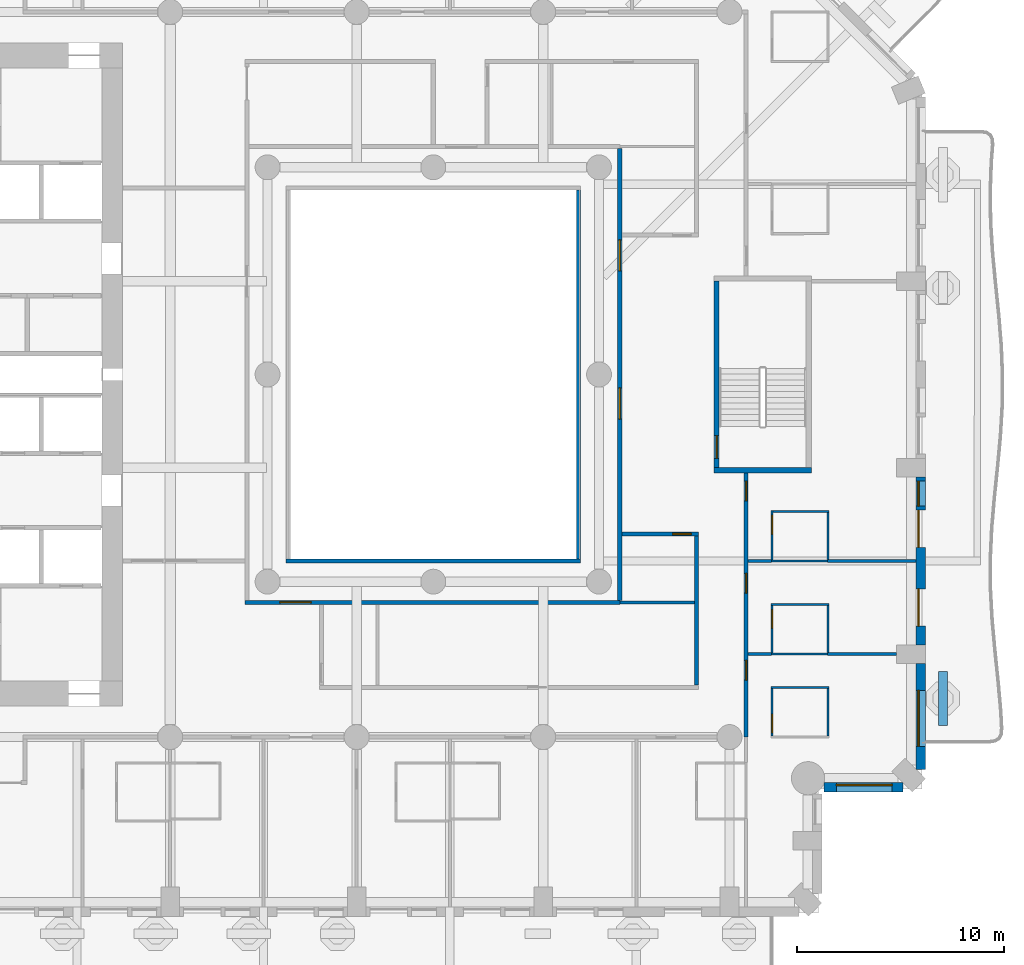
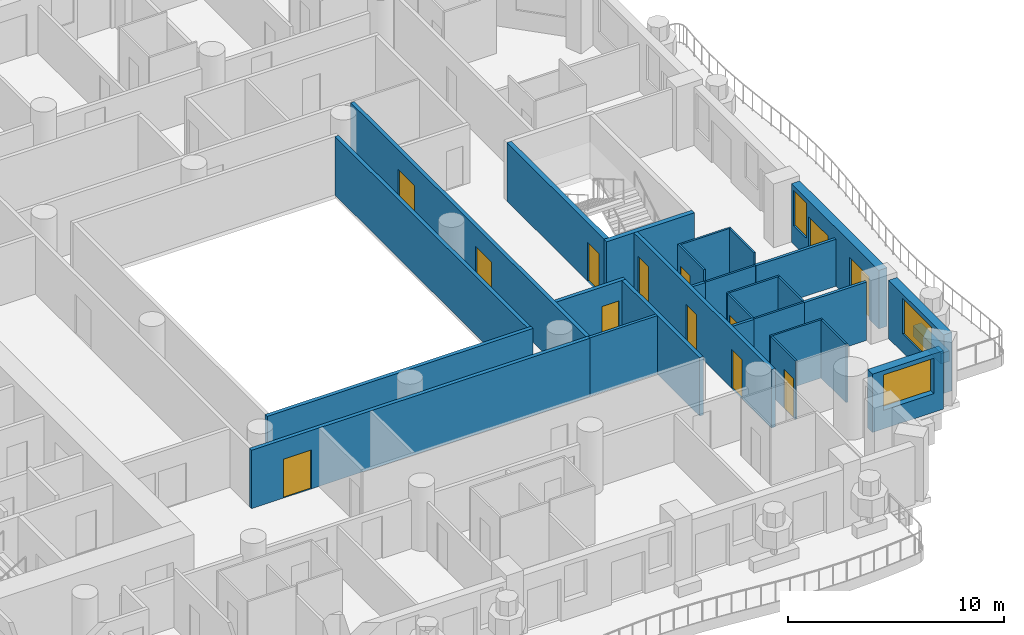
# One storey, part 6 of 20: 29 walls, 13 doors, 3 windows, 16 openings.
"""IFC4 building model written with IfcOpenShell, lengths in metres."""

from ifc_helpers import new_model, si_unit, direction, frame, frame_2d, origin, place, context, subcontext, project, spatial, rectangle, extrude, material, layer, layer_set, type_object, element, fill, save


model = new_model("IFC4")

# Units and contexts
model_context = context("Model", 3, precision=1e-05, world=origin(), true_north=direction((0.0, 1.0)))
body_context = subcontext(model_context, "Body", "Model", "MODEL_VIEW")
ifc_project = project(units=[si_unit("LENGTHUNIT", "METRE"), si_unit("AREAUNIT", "SQUARE_METRE"), si_unit("VOLUMEUNIT", "CUBIC_METRE"), si_unit("PLANEANGLEUNIT", "RADIAN"), si_unit("MASSUNIT", "GRAM", prefix="KILO")], contexts=[model_context])

# Site, building, storey
site_placement = place(None, origin())
site = spatial("IfcSite", under=ifc_project, at=site_placement, CompositionType="ELEMENT")
building_placement = place(site_placement, origin())
building = spatial("IfcBuilding", under=site, at=building_placement, Name="Cypress Arch Tower", CompositionType="ELEMENT")
storey_placement = place(building_placement, frame((0.0, 0.0, 77.10009765625)))
storey = spatial("IfcBuildingStorey", under=building, at=storey_placement, Name="L13", CompositionType="ELEMENT", Elevation=77.10009765625)

# Wall
ifc_material_1 = material(Name="Concrete C40/50, waterproofed", Category="concrete")
ifc_layer_1 = layer(ifc_material_1, 0.449951171875)
ifc_layer_set_1 = layer_set([ifc_layer_1], Name="Balcony planter wall PW450")
wall_type_1 = type_object("IfcWallType", Name="Balcony planter wall PW450", PredefinedType="SOLIDWALL", material=ifc_layer_set_1)
wall_1_placement = place(storey_placement, frame((25.60009765625, -16.949951171875, 0.0), z_axis=(0.0, 0.0, 1.0), x_axis=(0.0, 1.0, 0.0)))
element("IfcWall", 1, at=wall_1_placement, inside=storey, type_object=wall_type_1, Name="Balcony planter wall L13-A06.1", PredefinedType="SOLIDWALL", context=body_context, shape_type="SweptSolid", body=[
    extrude(rectangle(XDim=2.6142578125, YDim=0.449951171875, at=frame_2d((1.30712890625, 0.0))), origin(), (0.0, 0.0, 1.0), 0.599853515625),
])

# Wall, opening, window
ifc_material_2 = material(Name="Brick (red buff blend)", Category="masonry")
ifc_layer_2 = layer(ifc_material_2, 0.449951171875)
ifc_layer_set_2 = layer_set([ifc_layer_2], Name="Brick pier and spandrel wall BW450")
wall_type_2 = type_object("IfcWallType", Name="Brick pier and spandrel wall BW450", PredefinedType="SOLIDWALL", material=ifc_layer_set_2)
wall_2_placement = place(storey_placement, frame((19.8583984375, -19.925048828125, 0.0), z_axis=(0.0, 0.0, 1.0), x_axis=(1.0, 0.0, 0.0)))
wall_2 = element("IfcWall", 2, at=wall_2_placement, inside=storey, type_object=wall_type_2, Name="Brick wall L13 A05.0", PredefinedType="SOLIDWALL", context=body_context, shape_type="SweptSolid", body=[
    extrude(rectangle(XDim=3.80517578125, YDim=0.449951171875, at=frame_2d((1.902587890625, 0.0))), origin(), (0.0, 0.0, 1.0), 3.2998046875),
])
opening_1_placement = place(wall_2_placement, frame((0.591552734375, 0.0, 1.050048828125)))
opening_1 = element("IfcOpeningElement", 3, at=opening_1_placement, cuts=wall_2, Name="Opening W270H", PredefinedType="OPENING", context=body_context, shape_type="SweptSolid", body=[
    extrude(rectangle(XDim=2.699951171875, YDim=2.0, at=frame_2d((1.35009765625, 1.0))), frame((0.0, 0.23486328125, 0.0), z_axis=(0.0, -1.0, 0.0), x_axis=(1.0, 0.0, 0.0)), (0.0, 0.0, 1.0), 0.469970703125),
])
ifc_material_3 = material(Name="Anodised aluminium, bronze finish, clear low-emissivity double glazing", Category="aluminium")
window_type_1 = type_object("IfcWindowType", Name="Window Hotel 2700x2000", PartitioningType="SINGLE_PANEL", PredefinedType="WINDOW", material=ifc_material_3)
window_1_placement = place(opening_1_placement, origin())
window_1 = element("IfcWindow", 4, at=window_1_placement, inside=storey, type_object=window_type_1, Name="Window L13 A05.0.1", OverallHeight=2.0, OverallWidth=2.699951171875, PartitioningType="SINGLE_PANEL", PredefinedType="WINDOW", context=body_context, shape_type="SweptSolid", body=[
    extrude(rectangle(XDim=2.699951171875, YDim=2.0, at=frame_2d((1.35009765625, 1.0))), frame((0.0, 0.135009765625, 0.0), z_axis=(0.0, -1.0, 0.0), x_axis=(1.0, 0.0, 0.0)), (0.0, 0.0, 1.0), 0.06005859375),
])
fill(opening_1, window_1)

wall_3_placement = place(storey_placement, frame((24.52490234375, -19.063720703125, 0.0), z_axis=(0.0, 0.0, 1.0), x_axis=(0.0, 1.0, 0.0)))
wall_3 = element("IfcWall", 5, at=wall_3_placement, inside=storey, type_object=wall_type_2, Name="Brick wall L13 A06.0", PredefinedType="SOLIDWALL", context=body_context, shape_type="SweptSolid", body=[
    extrude(rectangle(XDim=5.11376953125, YDim=0.449951171875, at=frame_2d((2.556884765625, 0.0))), origin(), (0.0, 0.0, 1.0), 3.2998046875),
])
opening_2_placement = place(wall_3_placement, frame((1.113525390625, 0.0, 1.050048828125)))
opening_2 = element("IfcOpeningElement", 6, at=opening_2_placement, cuts=wall_3, Name="Opening W270HD", PredefinedType="OPENING", context=body_context, shape_type="SweptSolid", body=[
    extrude(rectangle(XDim=2.699951171875, YDim=2.0, at=frame_2d((1.35009765625, 1.0))), frame((0.0, 0.23486328125, 0.0), z_axis=(0.0, -1.0, 0.0), x_axis=(1.0, 0.0, 0.0)), (0.0, 0.0, 1.0), 0.469970703125),
])
ifc_material_4 = material(Name="Anodised aluminium, bronze finish, laminated low-emissivity double glazing, large-missile impact rated", Category="aluminium")
window_type_2 = type_object("IfcWindowType", Name="Window Hotel 2700x2000 debris-rated", PartitioningType="SINGLE_PANEL", PredefinedType="WINDOW", material=ifc_material_4)
window_2_placement = place(opening_2_placement, origin())
window_2 = element("IfcWindow", 7, at=window_2_placement, inside=storey, type_object=window_type_2, Name="Window L13 A06.0.1", OverallHeight=2.0, OverallWidth=2.699951171875, PartitioningType="SINGLE_PANEL", PredefinedType="WINDOW", context=body_context, shape_type="SweptSolid", body=[
    extrude(rectangle(XDim=2.699951171875, YDim=2.0, at=frame_2d((1.35009765625, 1.0))), frame((0.0, 0.135009765625, 0.0), z_axis=(0.0, -1.0, 0.0), x_axis=(1.0, 0.0, 0.0)), (0.0, 0.0, 1.0), 0.06005859375),
])
fill(opening_2, window_2)

# Wall, openings, doors, window
wall_4_placement = place(storey_placement, frame((24.52490234375, -13.050048828125, 0.0), z_axis=(0.0, 0.0, 1.0), x_axis=(0.0, 1.0, 0.0)))
wall_4 = element("IfcWall", 8, at=wall_4_placement, inside=storey, type_object=wall_type_2, Name="Brick wall L13 A06.1", PredefinedType="SOLIDWALL", context=body_context, shape_type="SweptSolid", body=[
    extrude(rectangle(XDim=8.10009765625, YDim=0.449951171875, at=frame_2d((4.050048828125, 0.0))), origin(), (0.0, 0.0, 1.0), 3.2998046875),
])
opening_3_placement = place(wall_4_placement, frame((0.89990234375, 0.0, 0.0)))
opening_3 = element("IfcOpeningElement", 9, at=opening_3_placement, cuts=wall_4, Name="Opening D-L13-A06.1.1", PredefinedType="OPENING", context=body_context, shape_type="SweptSolid", body=[
    extrude(rectangle(XDim=1.800048828125, YDim=2.39990234375, at=frame_2d((0.89990234375, 1.199951171875))), frame((0.0, 0.23486328125, 0.0), z_axis=(0.0, -1.0, 0.0), x_axis=(1.0, 0.0, 0.0)), (0.0, 0.0, 1.0), 0.469970703125),
])
opening_4_placement = place(wall_4_placement, frame((4.699951171875, 0.0, 0.0)))
opening_4 = element("IfcOpeningElement", 10, at=opening_4_placement, cuts=wall_4, Name="Opening D-L13-A06.1.2", PredefinedType="OPENING", context=body_context, shape_type="SweptSolid", body=[
    extrude(rectangle(XDim=1.800048828125, YDim=2.39990234375, at=frame_2d((0.89990234375, 1.199951171875))), frame((0.0, 0.23486328125, 0.0), z_axis=(0.0, -1.0, 0.0), x_axis=(1.0, 0.0, 0.0)), (0.0, 0.0, 1.0), 0.469970703125),
])
opening_5_placement = place(wall_4_placement, frame((6.699951171875, 0.0, 1.050048828125)))
opening_5 = element("IfcOpeningElement", 11, at=opening_5_placement, cuts=wall_4, Name="Opening W120HD", PredefinedType="OPENING", context=body_context, shape_type="SweptSolid", body=[
    extrude(rectangle(XDim=1.199951171875, YDim=2.0, at=frame_2d((0.60009765625, 1.0))), frame((0.0, 0.23486328125, 0.0), z_axis=(0.0, -1.0, 0.0), x_axis=(1.0, 0.0, 0.0)), (0.0, 0.0, 1.0), 0.469970703125),
])
ifc_material_5 = material(Name="Anodised aluminium, bronze finish, laminated low-emissivity double glazing, large-missile impact rated", Category="aluminium")
door_type_1 = type_object("IfcDoorType", Name="Balcony sliding door 1800x2400", OperationType="SLIDING_TO_LEFT", PredefinedType="DOOR", material=ifc_material_5)
door_1_placement = place(opening_3_placement, origin())
door_1 = element("IfcDoor", 12, at=door_1_placement, inside=storey, type_object=door_type_1, Name="Balcony door L13 A06.1.1", OperationType="SLIDING_TO_LEFT", OverallHeight=2.39990234375, OverallWidth=1.800048828125, PredefinedType="DOOR", context=body_context, shape_type="SweptSolid", body=[
    extrude(rectangle(XDim=1.800048828125, YDim=2.39990234375, at=frame_2d((0.89990234375, 1.199951171875))), frame((0.0, 0.1298828125, 0.0), z_axis=(0.0, -1.0, 0.0), x_axis=(1.0, 0.0, 0.0)), (0.0, 0.0, 1.0), 0.050048828125),
])
fill(opening_3, door_1)
door_2_placement = place(opening_4_placement, origin())
door_2 = element("IfcDoor", 13, at=door_2_placement, inside=storey, type_object=door_type_1, Name="Balcony door L13 A06.1.2", OperationType="SLIDING_TO_LEFT", OverallHeight=2.39990234375, OverallWidth=1.800048828125, PredefinedType="DOOR", context=body_context, shape_type="SweptSolid", body=[
    extrude(rectangle(XDim=1.800048828125, YDim=2.39990234375, at=frame_2d((0.89990234375, 1.199951171875))), frame((0.0, 0.1298828125, 0.0), z_axis=(0.0, -1.0, 0.0), x_axis=(1.0, 0.0, 0.0)), (0.0, 0.0, 1.0), 0.050048828125),
])
fill(opening_4, door_2)
ifc_material_6 = material(Name="Anodised aluminium, bronze finish, laminated low-emissivity double glazing, large-missile impact rated", Category="aluminium")
window_type_3 = type_object("IfcWindowType", Name="Window Hotel 1200x2000 debris-rated", PartitioningType="SINGLE_PANEL", PredefinedType="WINDOW", material=ifc_material_6)
window_3_placement = place(opening_5_placement, origin())
window_3 = element("IfcWindow", 14, at=window_3_placement, inside=storey, type_object=window_type_3, Name="Window L13 A06.1.2", OverallHeight=2.0, OverallWidth=1.199951171875, PartitioningType="SINGLE_PANEL", PredefinedType="WINDOW", context=body_context, shape_type="SweptSolid", body=[
    extrude(rectangle(XDim=1.199951171875, YDim=2.0, at=frame_2d((0.60009765625, 1.0))), frame((0.0, 0.135009765625, 0.0), z_axis=(0.0, -1.0, 0.0), x_axis=(1.0, 0.0, 0.0)), (0.0, 0.0, 1.0), 0.06005859375),
])
fill(opening_5, window_3)

# Wall, opening, door
ifc_material_7 = material(Name="Concrete blockwork, plastered, rated", Category="masonry")
ifc_layer_3 = layer(ifc_material_7, 0.199951171875)
ifc_layer_set_3 = layer_set([ifc_layer_3], Name="Corridor wall FW200")
wall_type_3 = type_object("IfcWallType", Name="Corridor wall FW200", PredefinedType="PARTITIONING", material=ifc_layer_set_3)
wall_5_placement = place(storey_placement, frame((-8.10009765625, -11.0, 0.0), z_axis=(0.0, 0.0, 1.0), x_axis=(1.0, 0.0, 0.0)))
wall_5 = element("IfcWall", 15, at=wall_5_placement, inside=storey, type_object=wall_type_3, Name="Corridor wall", PredefinedType="PARTITIONING", context=body_context, shape_type="SweptSolid", body=[
    extrude(rectangle(XDim=18.10009765625, YDim=0.199951171875, at=frame_2d((9.050048828125, 0.0))), origin(), (0.0, 0.0, 1.0), 3.2998046875),
])
opening_6_placement = place(wall_5_placement, frame((1.699951171875, 0.0, 0.0)))
opening_6 = element("IfcOpeningElement", 16, at=opening_6_placement, cuts=wall_5, Name="Opening D04", PredefinedType="OPENING", context=body_context, shape_type="SweptSolid", body=[
    extrude(rectangle(XDim=1.5, YDim=2.199951171875, at=frame_2d((0.75, 1.10009765625))), frame((0.0, 0.10986328125, 0.0), z_axis=(0.0, -1.0, 0.0), x_axis=(1.0, 0.0, 0.0)), (0.0, 0.0, 1.0), 0.219970703125),
])
ifc_material_8 = material(Name="Timber double door", Category="wood")
door_type_2 = type_object("IfcDoorType", Name="Double door D04 1500x2200", OperationType="DOUBLE_DOOR_SINGLE_SWING", PredefinedType="DOOR", material=ifc_material_8)
door_3_placement = place(opening_6_placement, origin())
door_3 = element("IfcDoor", 17, at=door_3_placement, inside=storey, type_object=door_type_2, Name="Double door", OperationType="DOUBLE_DOOR_SINGLE_SWING", OverallHeight=2.199951171875, OverallWidth=1.5, PredefinedType="DOOR", context=body_context, shape_type="SweptSolid", body=[
    extrude(rectangle(XDim=1.5, YDim=2.199951171875, at=frame_2d((0.75, 1.10009765625))), frame((0.0, 0.02490234375, 0.0), z_axis=(0.0, -1.0, 0.0), x_axis=(1.0, 0.0, 0.0)), (0.0, 0.0, 1.0), 0.050048828125),
])
fill(opening_6, door_3)

# Walls
wall_6_placement = place(storey_placement, frame((-6.10009765625, -9.0, 0.0), z_axis=(0.0, 0.0, 1.0), x_axis=(1.0, 0.0, 0.0)))
element("IfcWall", 18, at=wall_6_placement, inside=storey, type_object=wall_type_3, Name="Corridor wall", PredefinedType="PARTITIONING", context=body_context, shape_type="SweptSolid", body=[
    extrude(rectangle(XDim=14.2001953125, YDim=0.199951171875, at=frame_2d((7.10009765625, 0.0))), origin(), (0.0, 0.0, 1.0), 3.2998046875),
])
wall_7_placement = place(storey_placement, frame((8.0, -8.89990234375, 0.0), z_axis=(0.0, 0.0, 1.0), x_axis=(0.0, 1.0, 0.0)))
element("IfcWall", 19, at=wall_7_placement, inside=storey, type_object=wall_type_3, Name="Corridor wall", PredefinedType="PARTITIONING", context=body_context, shape_type="SweptSolid", body=[
    extrude(rectangle(XDim=17.7998046875, YDim=0.199951171875, at=frame_2d((8.89990234375, 0.0))), origin(), (0.0, 0.0, 1.0), 3.2998046875),
])

# Wall, openings, doors
wall_8_placement = place(storey_placement, frame((10.0, -10.89990234375, 0.0), z_axis=(0.0, 0.0, 1.0), x_axis=(0.0, 1.0, 0.0)))
wall_8 = element("IfcWall", 20, at=wall_8_placement, inside=storey, type_object=wall_type_3, Name="Corridor wall", PredefinedType="PARTITIONING", context=body_context, shape_type="SweptSolid", body=[
    extrude(rectangle(XDim=21.7998046875, YDim=0.199951171875, at=frame_2d((10.89990234375, 0.0))), origin(), (0.0, 0.0, 1.0), 3.2998046875),
])
opening_7_placement = place(wall_8_placement, frame((15.89990234375, 0.0, 0.0)))
opening_7 = element("IfcOpeningElement", 21, at=opening_7_placement, cuts=wall_8, Name="Opening D04", PredefinedType="OPENING", context=body_context, shape_type="SweptSolid", body=[
    extrude(rectangle(XDim=1.5, YDim=2.199951171875, at=frame_2d((0.75, 1.10009765625))), frame((0.0, 0.10986328125, 0.0), z_axis=(0.0, -1.0, 0.0), x_axis=(1.0, 0.0, 0.0)), (0.0, 0.0, 1.0), 0.219970703125),
])
opening_8_placement = place(wall_8_placement, frame((8.75, 0.0, 0.0)))
opening_8 = element("IfcOpeningElement", 22, at=opening_8_placement, cuts=wall_8, Name="Opening D04", PredefinedType="OPENING", context=body_context, shape_type="SweptSolid", body=[
    extrude(rectangle(XDim=1.5, YDim=2.199951171875, at=frame_2d((0.75, 1.10009765625))), frame((0.0, 0.10986328125, 0.0), z_axis=(0.0, -1.0, 0.0), x_axis=(1.0, 0.0, 0.0)), (0.0, 0.0, 1.0), 0.219970703125),
])
door_4_placement = place(opening_7_placement, origin())
door_4 = element("IfcDoor", 23, at=door_4_placement, inside=storey, type_object=door_type_2, Name="Double door", OperationType="DOUBLE_DOOR_SINGLE_SWING", OverallHeight=2.199951171875, OverallWidth=1.5, PredefinedType="DOOR", context=body_context, shape_type="SweptSolid", body=[
    extrude(rectangle(XDim=1.5, YDim=2.199951171875, at=frame_2d((0.75, 1.10009765625))), frame((0.0, 0.02490234375, 0.0), z_axis=(0.0, -1.0, 0.0), x_axis=(1.0, 0.0, 0.0)), (0.0, 0.0, 1.0), 0.050048828125),
])
fill(opening_7, door_4)
door_5_placement = place(opening_8_placement, origin())
door_5 = element("IfcDoor", 24, at=door_5_placement, inside=storey, type_object=door_type_2, Name="Double door", OperationType="DOUBLE_DOOR_SINGLE_SWING", OverallHeight=2.199951171875, OverallWidth=1.5, PredefinedType="DOOR", context=body_context, shape_type="SweptSolid", body=[
    extrude(rectangle(XDim=1.5, YDim=2.199951171875, at=frame_2d((0.75, 1.10009765625))), frame((0.0, 0.02490234375, 0.0), z_axis=(0.0, -1.0, 0.0), x_axis=(1.0, 0.0, 0.0)), (0.0, 0.0, 1.0), 0.050048828125),
])
fill(opening_8, door_5)

# Wall, opening, door
wall_9_placement = place(storey_placement, frame((10.10009765625, -7.699951171875, 0.0), z_axis=(0.0, 0.0, 1.0), x_axis=(1.0, 0.0, 0.0)))
wall_9 = element("IfcWall", 25, at=wall_9_placement, inside=storey, type_object=wall_type_3, Name="Corridor wall", PredefinedType="PARTITIONING", context=body_context, shape_type="SweptSolid", body=[
    extrude(rectangle(XDim=3.699951171875, YDim=0.199951171875, at=frame_2d((1.85009765625, 0.0))), origin(), (0.0, 0.0, 1.0), 3.2998046875),
])
opening_9_placement = place(wall_9_placement, frame((2.449951171875, 0.0, 0.0)))
opening_9 = element("IfcOpeningElement", 26, at=opening_9_placement, cuts=wall_9, Name="Opening D05", PredefinedType="OPENING", context=body_context, shape_type="SweptSolid", body=[
    extrude(rectangle(XDim=0.89990234375, YDim=2.199951171875, at=frame_2d((0.449951171875, 1.10009765625))), frame((0.0, 0.10986328125, 0.0), z_axis=(0.0, -1.0, 0.0), x_axis=(1.0, 0.0, 0.0)), (0.0, 0.0, 1.0), 0.219970703125),
])
ifc_material_9 = material(Name="Timber flush door", Category="wood")
door_type_3 = type_object("IfcDoorType", Name="Service door D05 900x2200", OperationType="SINGLE_SWING_LEFT", PredefinedType="DOOR", material=ifc_material_9)
door_6_placement = place(opening_9_placement, origin())
door_6 = element("IfcDoor", 27, at=door_6_placement, inside=storey, type_object=door_type_3, Name="Service door", OperationType="SINGLE_SWING_LEFT", OverallHeight=2.199951171875, OverallWidth=0.89990234375, PredefinedType="DOOR", context=body_context, shape_type="SweptSolid", body=[
    extrude(rectangle(XDim=0.89990234375, YDim=2.199951171875, at=frame_2d((0.449951171875, 1.10009765625))), frame((0.0, 0.02490234375, 0.0), z_axis=(0.0, -1.0, 0.0), x_axis=(1.0, 0.0, 0.0)), (0.0, 0.0, 1.0), 0.050048828125),
])
fill(opening_9, door_6)

# Wall
wall_10_placement = place(storey_placement, frame((13.699951171875, -15.0, 0.0), z_axis=(0.0, 0.0, 1.0), x_axis=(0.0, 1.0, 0.0)))
element("IfcWall", 28, at=wall_10_placement, inside=storey, type_object=wall_type_3, Name="Corridor wall", PredefinedType="PARTITIONING", context=body_context, shape_type="SweptSolid", body=[
    extrude(rectangle(XDim=7.199951171875, YDim=0.199951171875, at=frame_2d((3.60009765625, 0.0))), origin(), (0.0, 0.0, 1.0), 3.2998046875),
])

# Wall, openings, doors
wall_11_placement = place(storey_placement, frame((16.10009765625, -17.5, 0.0), z_axis=(0.0, 0.0, 1.0), x_axis=(0.0, 1.0, 0.0)))
wall_11 = element("IfcWall", 29, at=wall_11_placement, inside=storey, type_object=wall_type_3, Name="Corridor wall", PredefinedType="PARTITIONING", context=body_context, shape_type="SweptSolid", body=[
    extrude(rectangle(XDim=12.75, YDim=0.199951171875, at=frame_2d((6.375, 0.0))), origin(), (0.0, 0.0, 1.0), 3.2998046875),
])
opening_10_placement = place(wall_11_placement, frame((2.75, 0.0, 0.0)))
opening_10 = element("IfcOpeningElement", 30, at=opening_10_placement, cuts=wall_11, Name="Opening D02", PredefinedType="OPENING", context=body_context, shape_type="SweptSolid", body=[
    extrude(rectangle(XDim=0.949951171875, YDim=2.199951171875, at=frame_2d((0.47509765625, 1.10009765625))), frame((0.0, 0.10986328125, 0.0), z_axis=(0.0, -1.0, 0.0), x_axis=(1.0, 0.0, 0.0)), (0.0, 0.0, 1.0), 0.219970703125),
])
opening_11_placement = place(wall_11_placement, frame((6.949951171875, 0.0, 0.0)))
opening_11 = element("IfcOpeningElement", 31, at=opening_11_placement, cuts=wall_11, Name="Opening D02", PredefinedType="OPENING", context=body_context, shape_type="SweptSolid", body=[
    extrude(rectangle(XDim=0.949951171875, YDim=2.199951171875, at=frame_2d((0.47509765625, 1.10009765625))), frame((0.0, 0.10986328125, 0.0), z_axis=(0.0, -1.0, 0.0), x_axis=(1.0, 0.0, 0.0)), (0.0, 0.0, 1.0), 0.219970703125),
])
opening_12_placement = place(wall_11_placement, frame((11.39990234375, 0.0, 0.0)))
opening_12 = element("IfcOpeningElement", 32, at=opening_12_placement, cuts=wall_11, Name="Opening D02", PredefinedType="OPENING", context=body_context, shape_type="SweptSolid", body=[
    extrude(rectangle(XDim=0.949951171875, YDim=2.199951171875, at=frame_2d((0.47509765625, 1.10009765625))), frame((0.0, 0.10986328125, 0.0), z_axis=(0.0, -1.0, 0.0), x_axis=(1.0, 0.0, 0.0)), (0.0, 0.0, 1.0), 0.219970703125),
])
ifc_material_10 = material(Name="Timber flush door, fire resisting", Category="wood")
door_type_4 = type_object("IfcDoorType", Name="Room door D02 950x2200", OperationType="SINGLE_SWING_LEFT", PredefinedType="DOOR", material=ifc_material_10)
door_7_placement = place(opening_10_placement, origin())
door_7 = element("IfcDoor", 33, at=door_7_placement, inside=storey, type_object=door_type_4, Name="Room door", OperationType="SINGLE_SWING_LEFT", OverallHeight=2.199951171875, OverallWidth=0.949951171875, PredefinedType="DOOR", context=body_context, shape_type="SweptSolid", body=[
    extrude(rectangle(XDim=0.949951171875, YDim=2.199951171875, at=frame_2d((0.47509765625, 1.10009765625))), frame((0.0, 0.02490234375, 0.0), z_axis=(0.0, -1.0, 0.0), x_axis=(1.0, 0.0, 0.0)), (0.0, 0.0, 1.0), 0.050048828125),
])
fill(opening_10, door_7)
door_8_placement = place(opening_11_placement, origin())
door_8 = element("IfcDoor", 34, at=door_8_placement, inside=storey, type_object=door_type_4, Name="Room door", OperationType="SINGLE_SWING_LEFT", OverallHeight=2.199951171875, OverallWidth=0.949951171875, PredefinedType="DOOR", context=body_context, shape_type="SweptSolid", body=[
    extrude(rectangle(XDim=0.949951171875, YDim=2.199951171875, at=frame_2d((0.47509765625, 1.10009765625))), frame((0.0, 0.02490234375, 0.0), z_axis=(0.0, -1.0, 0.0), x_axis=(1.0, 0.0, 0.0)), (0.0, 0.0, 1.0), 0.050048828125),
])
fill(opening_11, door_8)
door_9_placement = place(opening_12_placement, origin())
door_9 = element("IfcDoor", 35, at=door_9_placement, inside=storey, type_object=door_type_4, Name="Room door", OperationType="SINGLE_SWING_LEFT", OverallHeight=2.199951171875, OverallWidth=0.949951171875, PredefinedType="DOOR", context=body_context, shape_type="SweptSolid", body=[
    extrude(rectangle(XDim=0.949951171875, YDim=2.199951171875, at=frame_2d((0.47509765625, 1.10009765625))), frame((0.0, 0.02490234375, 0.0), z_axis=(0.0, -1.0, 0.0), x_axis=(1.0, 0.0, 0.0)), (0.0, 0.0, 1.0), 0.050048828125),
])
fill(opening_12, door_9)

# Walls
ifc_material_11 = material(Name="Blockwork, plastered both sides", Category="masonry")
ifc_layer_4 = layer(ifc_material_11, 0.14990234375)
ifc_layer_set_4 = layer_set([ifc_layer_4], Name="Partition PW150")
wall_type_4 = type_object("IfcWallType", Name="Partition PW150", PredefinedType="PARTITIONING", material=ifc_layer_set_4)
wall_12_placement = place(storey_placement, frame((10.0, -11.0, 0.0), z_axis=(0.0, 0.0, 1.0), x_axis=(1.0, 0.0, 0.0)))
element("IfcWall", 36, at=wall_12_placement, inside=storey, type_object=wall_type_4, Name="Partition", PredefinedType="PARTITIONING", context=body_context, shape_type="SweptSolid", body=[
    extrude(rectangle(XDim=3.60009765625, YDim=0.14990234375, at=frame_2d((1.800048828125, 0.0))), origin(), (0.0, 0.0, 1.0), 3.2998046875),
])
wall_13_placement = place(storey_placement, frame((16.199951171875, -13.5, 0.0), z_axis=(0.0, 0.0, 1.0), x_axis=(1.0, 0.0, 0.0)))
element("IfcWall", 37, at=wall_13_placement, inside=storey, type_object=wall_type_4, Name="Partition", PredefinedType="PARTITIONING", context=body_context, shape_type="SweptSolid", body=[
    extrude(rectangle(XDim=1.130126953125, YDim=0.14990234375, at=frame_2d((0.56494140625, 0.0))), origin(), (0.0, 0.0, 1.0), 3.2998046875),
])
wall_14_placement = place(storey_placement, frame((16.199951171875, -9.0, 0.0), z_axis=(0.0, 0.0, 1.0), x_axis=(1.0, 0.0, 0.0)))
element("IfcWall", 38, at=wall_14_placement, inside=storey, type_object=wall_type_4, Name="Partition", PredefinedType="PARTITIONING", context=body_context, shape_type="SweptSolid", body=[
    extrude(rectangle(XDim=1.130126953125, YDim=0.14990234375, at=frame_2d((0.56494140625, 0.0))), origin(), (0.0, 0.0, 1.0), 2.64990234375),
])
wall_15_placement = place(storey_placement, frame((20.030029296875, -13.5, 0.0), z_axis=(0.0, 0.0, 1.0), x_axis=(1.0, 0.0, 0.0)))
element("IfcWall", 39, at=wall_15_placement, inside=storey, type_object=wall_type_4, Name="Partition", PredefinedType="PARTITIONING", context=body_context, shape_type="SweptSolid", body=[
    extrude(rectangle(XDim=3.320068359375, YDim=0.14990234375, at=frame_2d((1.66015625, 0.0))), origin(), (0.0, 0.0, 1.0), 3.2998046875),
])
wall_16_placement = place(storey_placement, frame((20.030029296875, -9.0, 0.0), z_axis=(0.0, 0.0, 1.0), x_axis=(1.0, 0.0, 0.0)))
element("IfcWall", 40, at=wall_16_placement, inside=storey, type_object=wall_type_4, Name="Partition", PredefinedType="PARTITIONING", context=body_context, shape_type="SweptSolid", body=[
    extrude(rectangle(XDim=4.27001953125, YDim=0.14990234375, at=frame_2d((2.135009765625, 0.0))), origin(), (0.0, 0.0, 1.0), 2.64990234375),
])

# Wall, opening, door
ifc_material_12 = material(Name="Concrete C50/60", Category="concrete")
ifc_layer_5 = layer(ifc_material_12, 0.25)
ifc_layer_set_5 = layer_set([ifc_layer_5], Name="Stair enclosure wall SW250")
wall_type_5 = type_object("IfcWallType", Name="Stair enclosure wall SW250", PredefinedType="SHEAR", material=ifc_layer_set_5)
wall_17_placement = place(storey_placement, frame((14.675048828125, -4.5, 0.0), z_axis=(0.0, 0.0, 1.0), x_axis=(0.0, 1.0, 0.0)))
wall_17 = element("IfcWall", 41, at=wall_17_placement, inside=storey, type_object=wall_type_5, Name="Stair enclosure wall", PredefinedType="SHEAR", context=body_context, shape_type="SweptSolid", body=[
    extrude(rectangle(XDim=9.0, YDim=0.25, at=frame_2d((4.5, 0.0))), origin(), (0.0, 0.0, 1.0), 3.2998046875),
])
opening_13_placement = place(wall_17_placement, frame((0.449951171875, 0.0, 0.0)))
opening_13 = element("IfcOpeningElement", 42, at=opening_13_placement, cuts=wall_17, Name="Opening D06", PredefinedType="OPENING", context=body_context, shape_type="SweptSolid", body=[
    extrude(rectangle(XDim=1.10009765625, YDim=2.199951171875, at=frame_2d((0.550048828125, 1.10009765625))), frame((0.0, 0.135009765625, 0.0), z_axis=(0.0, -1.0, 0.0), x_axis=(1.0, 0.0, 0.0)), (0.0, 0.0, 1.0), 0.27001953125),
])
ifc_material_13 = material(Name="Steel door, fire resisting, panic bar", Category="steel")
door_type_5 = type_object("IfcDoorType", Name="Stair door D06 1100x2200", OperationType="SINGLE_SWING_LEFT", PredefinedType="DOOR", material=ifc_material_13)
door_10_placement = place(opening_13_placement, origin())
door_10 = element("IfcDoor", 43, at=door_10_placement, inside=storey, type_object=door_type_5, Name="Stair door", OperationType="SINGLE_SWING_RIGHT", OverallHeight=2.199951171875, OverallWidth=1.10009765625, PredefinedType="DOOR", context=body_context, shape_type="SweptSolid", body=[
    extrude(rectangle(XDim=1.10009765625, YDim=2.199951171875, at=frame_2d((0.550048828125, 1.10009765625))), frame((0.0, 0.02490234375, 0.0), z_axis=(0.0, -1.0, 0.0), x_axis=(1.0, 0.0, 0.0)), (0.0, 0.0, 1.0), 0.050048828125),
])
fill(opening_13, door_10)

# Walls
wall_18_placement = place(storey_placement, frame((14.550048828125, -4.625, 0.0), z_axis=(0.0, 0.0, 1.0), x_axis=(1.0, 0.0, 0.0)))
element("IfcWall", 44, at=wall_18_placement, inside=storey, type_object=wall_type_5, Name="Stair enclosure wall", PredefinedType="SHEAR", context=body_context, shape_type="SweptSolid", body=[
    extrude(rectangle(XDim=4.699951171875, YDim=0.25, at=frame_2d((2.35009765625, 0.0))), origin(), (0.0, 0.0, 1.0), 3.2998046875),
])
ifc_material_14 = material(Name="Moisture resistant board on steel studs, tiled", Category="steel")
ifc_layer_6 = layer(ifc_material_14, 0.10009765625)
ifc_layer_set_6 = layer_set([ifc_layer_6], Name="Wet wall PW100")
wall_type_6 = type_object("IfcWallType", Name="Wet wall PW100", PredefinedType="PARTITIONING", material=ifc_layer_set_6)
wall_19_placement = place(storey_placement, frame((17.330078125, -13.5, 0.0), z_axis=(0.0, 0.0, 1.0), x_axis=(1.0, 0.0, 0.0)))
element("IfcWall", 45, at=wall_19_placement, inside=storey, type_object=wall_type_6, Name="Wet wall", PredefinedType="PARTITIONING", context=body_context, shape_type="SweptSolid", body=[
    extrude(rectangle(XDim=2.699951171875, YDim=0.10009765625, at=frame_2d((1.35009765625, 0.0))), origin(), (0.0, 0.0, 1.0), 3.2998046875),
])
wall_20_placement = place(storey_placement, frame((17.330078125, -9.0, 0.0), z_axis=(0.0, 0.0, 1.0), x_axis=(1.0, 0.0, 0.0)))
element("IfcWall", 46, at=wall_20_placement, inside=storey, type_object=wall_type_6, Name="Wet wall", PredefinedType="PARTITIONING", context=body_context, shape_type="SweptSolid", body=[
    extrude(rectangle(XDim=2.699951171875, YDim=0.10009765625, at=frame_2d((1.35009765625, 0.0))), origin(), (0.0, 0.0, 1.0), 2.64990234375),
])

# Wall, opening, door
wall_21_placement = place(storey_placement, frame((17.35009765625, -17.449951171875, 0.0), z_axis=(0.0, 0.0, 1.0), x_axis=(0.0, 1.0, 0.0)))
wall_21 = element("IfcWall", 47, at=wall_21_placement, inside=storey, type_object=wall_type_6, Name="Wet wall", PredefinedType="PARTITIONING", context=body_context, shape_type="SweptSolid", body=[
    extrude(rectangle(XDim=2.300048828125, YDim=0.10009765625, at=frame_2d((1.14990234375, 0.0))), origin(), (0.0, 0.0, 1.0), 3.2998046875),
])
opening_14_placement = place(wall_21_placement, frame((0.14990234375, 0.0, 0.0)))
opening_14 = element("IfcOpeningElement", 48, at=opening_14_placement, cuts=wall_21, Name="Opening D03", PredefinedType="OPENING", context=body_context, shape_type="SweptSolid", body=[
    extrude(rectangle(XDim=0.89990234375, YDim=2.199951171875, at=frame_2d((0.449951171875, 1.10009765625))), frame((0.0, 0.06005859375, 0.0), z_axis=(0.0, -1.0, 0.0), x_axis=(1.0, 0.0, 0.0)), (0.0, 0.0, 1.0), 0.1201171875),
])
ifc_material_15 = material(Name="Timber flush door, moisture resistant", Category="wood")
door_type_6 = type_object("IfcDoorType", Name="Bathroom door D03 900x2200", OperationType="SINGLE_SWING_LEFT", PredefinedType="DOOR", material=ifc_material_15)
door_11_placement = place(opening_14_placement, origin())
door_11 = element("IfcDoor", 49, at=door_11_placement, inside=storey, type_object=door_type_6, Name="Bathroom door", OperationType="SINGLE_SWING_RIGHT", OverallHeight=2.199951171875, OverallWidth=0.89990234375, PredefinedType="DOOR", context=body_context, shape_type="SweptSolid", body=[
    extrude(rectangle(XDim=0.89990234375, YDim=2.199951171875, at=frame_2d((0.449951171875, 1.10009765625))), frame((0.0, 0.02490234375, 0.0), z_axis=(0.0, -1.0, 0.0), x_axis=(1.0, 0.0, 0.0)), (0.0, 0.0, 1.0), 0.050048828125),
])
fill(opening_14, door_11)

# Wall
wall_22_placement = place(storey_placement, frame((17.300048828125, -15.10009765625, 0.0), z_axis=(0.0, 0.0, 1.0), x_axis=(1.0, 0.0, 0.0)))
element("IfcWall", 50, at=wall_22_placement, inside=storey, type_object=wall_type_6, Name="Wet wall", PredefinedType="PARTITIONING", context=body_context, shape_type="SweptSolid", body=[
    extrude(rectangle(XDim=2.800048828125, YDim=0.10009765625, at=frame_2d((1.39990234375, 0.0))), origin(), (0.0, 0.0, 1.0), 3.2998046875),
])

# Wall, opening, door
wall_23_placement = place(storey_placement, frame((17.35009765625, -13.449951171875, 0.0), z_axis=(0.0, 0.0, 1.0), x_axis=(0.0, 1.0, 0.0)))
wall_23 = element("IfcWall", 51, at=wall_23_placement, inside=storey, type_object=wall_type_6, Name="Wet wall", PredefinedType="PARTITIONING", context=body_context, shape_type="SweptSolid", body=[
    extrude(rectangle(XDim=2.2958984375, YDim=0.10009765625, at=frame_2d((1.14794921875, 0.0))), origin(), (0.0, 0.0, 1.0), 3.2998046875),
])
opening_15_placement = place(wall_23_placement, frame((1.199951171875, 0.0, 0.0)))
opening_15 = element("IfcOpeningElement", 52, at=opening_15_placement, cuts=wall_23, Name="Opening D03", PredefinedType="OPENING", context=body_context, shape_type="SweptSolid", body=[
    extrude(rectangle(XDim=0.89990234375, YDim=2.199951171875, at=frame_2d((0.449951171875, 1.10009765625))), frame((0.0, 0.06005859375, 0.0), z_axis=(0.0, -1.0, 0.0), x_axis=(1.0, 0.0, 0.0)), (0.0, 0.0, 1.0), 0.1201171875),
])
door_12_placement = place(opening_15_placement, origin())
door_12 = element("IfcDoor", 53, at=door_12_placement, inside=storey, type_object=door_type_6, Name="Bathroom door", OperationType="SINGLE_SWING_LEFT", OverallHeight=2.199951171875, OverallWidth=0.89990234375, PredefinedType="DOOR", context=body_context, shape_type="SweptSolid", body=[
    extrude(rectangle(XDim=0.89990234375, YDim=2.199951171875, at=frame_2d((0.449951171875, 1.10009765625))), frame((0.0, 0.02490234375, 0.0), z_axis=(0.0, -1.0, 0.0), x_axis=(1.0, 0.0, 0.0)), (0.0, 0.0, 1.0), 0.050048828125),
])
fill(opening_15, door_12)

# Wall
wall_24_placement = place(storey_placement, frame((17.300048828125, -11.10400390625, 0.0), z_axis=(0.0, 0.0, 1.0), x_axis=(1.0, 0.0, 0.0)))
element("IfcWall", 54, at=wall_24_placement, inside=storey, type_object=wall_type_6, Name="Wet wall", PredefinedType="PARTITIONING", context=body_context, shape_type="SweptSolid", body=[
    extrude(rectangle(XDim=2.800048828125, YDim=0.10009765625, at=frame_2d((1.39990234375, 0.0))), origin(), (0.0, 0.0, 1.0), 3.2998046875),
])

# Wall, opening, door
wall_25_placement = place(storey_placement, frame((17.35009765625, -8.949951171875, 0.0), z_axis=(0.0, 0.0, 1.0), x_axis=(0.000407580973, 0.999999916939, 0.0)))
wall_25 = element("IfcWall", 55, at=wall_25_placement, inside=storey, type_object=wall_type_6, Name="Wet wall", PredefinedType="PARTITIONING", context=body_context, shape_type="SweptSolid", body=[
    extrude(rectangle(XDim=2.39599609375, YDim=0.10009765625, at=frame_2d((1.197998046875, 0.0))), origin(), (0.0, 0.0, 1.0), 3.2998046875),
])
opening_16_placement = place(wall_25_placement, frame((1.25, 0.0, 0.0)))
opening_16 = element("IfcOpeningElement", 56, at=opening_16_placement, cuts=wall_25, Name="Opening D03", PredefinedType="OPENING", context=body_context, shape_type="SweptSolid", body=[
    extrude(rectangle(XDim=0.89990234375, YDim=2.199951171875, at=frame_2d((0.449951171875, 1.10009765625))), frame((0.0, 0.06005859375, 0.0), z_axis=(0.0, -1.0, 0.0), x_axis=(1.0, 0.0, 0.0)), (0.0, 0.0, 1.0), 0.1201171875),
])
door_13_placement = place(opening_16_placement, origin())
door_13 = element("IfcDoor", 57, at=door_13_placement, inside=storey, type_object=door_type_6, Name="Bathroom door", OperationType="SINGLE_SWING_LEFT", OverallHeight=2.199951171875, OverallWidth=0.89990234375, PredefinedType="DOOR", context=body_context, shape_type="SweptSolid", body=[
    extrude(rectangle(XDim=0.89990234375, YDim=2.199951171875, at=frame_2d((0.449951171875, 1.10009765625))), frame((0.0, 0.02490234375, 0.0), z_axis=(0.0, -1.0, 0.0), x_axis=(1.0, 0.0, 0.0)), (0.0, 0.0, 1.0), 0.050048828125),
])
fill(opening_16, door_13)

# Walls
wall_26_placement = place(storey_placement, frame((17.40087890625, -6.60400390625, 0.0), z_axis=(0.0, 0.0, 1.0), x_axis=(0.9999999346, -0.000361663629, 0.0)))
element("IfcWall", 58, at=wall_26_placement, inside=storey, type_object=wall_type_6, Name="Wet wall", PredefinedType="PARTITIONING", context=body_context, shape_type="SweptSolid", body=[
    extrude(rectangle(XDim=2.7001953125, YDim=0.10009765625, at=frame_2d((1.35009765625, 0.0))), origin(), (0.0, 0.0, 1.0), 3.2998046875),
])
wall_27_placement = place(storey_placement, frame((20.050048828125, -17.449951171875, 0.0), z_axis=(0.0, 0.0, 1.0), x_axis=(0.0, 1.0, 0.0)))
element("IfcWall", 59, at=wall_27_placement, inside=storey, type_object=wall_type_6, Name="Wet wall", PredefinedType="PARTITIONING", context=body_context, shape_type="SweptSolid", body=[
    extrude(rectangle(XDim=2.300048828125, YDim=0.10009765625, at=frame_2d((1.14990234375, 0.0))), origin(), (0.0, 0.0, 1.0), 3.2998046875),
])
wall_28_placement = place(storey_placement, frame((20.050048828125, -13.425048828125, 0.0), z_axis=(0.0, 0.0, 1.0), x_axis=(0.0, 1.0, 0.0)))
element("IfcWall", 60, at=wall_28_placement, inside=storey, type_object=wall_type_6, Name="Wet wall", PredefinedType="PARTITIONING", context=body_context, shape_type="SweptSolid", body=[
    extrude(rectangle(XDim=2.27099609375, YDim=0.10009765625, at=frame_2d((1.135498046875, 0.0))), origin(), (0.0, 0.0, 1.0), 3.2998046875),
])
wall_29_placement = place(storey_placement, frame((20.050048828125, -8.925048828125, 0.0), z_axis=(0.0, 0.0, 1.0), x_axis=(0.000430200003, 0.999999907464, 0.0)))
element("IfcWall", 61, at=wall_29_placement, inside=storey, type_object=wall_type_6, Name="Wet wall", PredefinedType="PARTITIONING", context=body_context, shape_type="SweptSolid", body=[
    extrude(rectangle(XDim=2.27001953125, YDim=0.10009765625, at=frame_2d((1.135009765625, 0.0))), origin(), (0.0, 0.0, 1.0), 3.2998046875),
])

save(model, "model.ifc")
